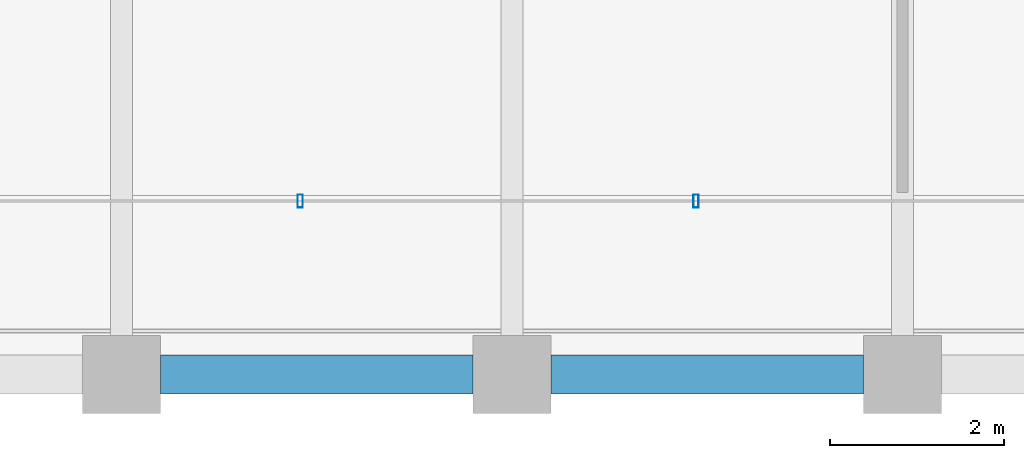
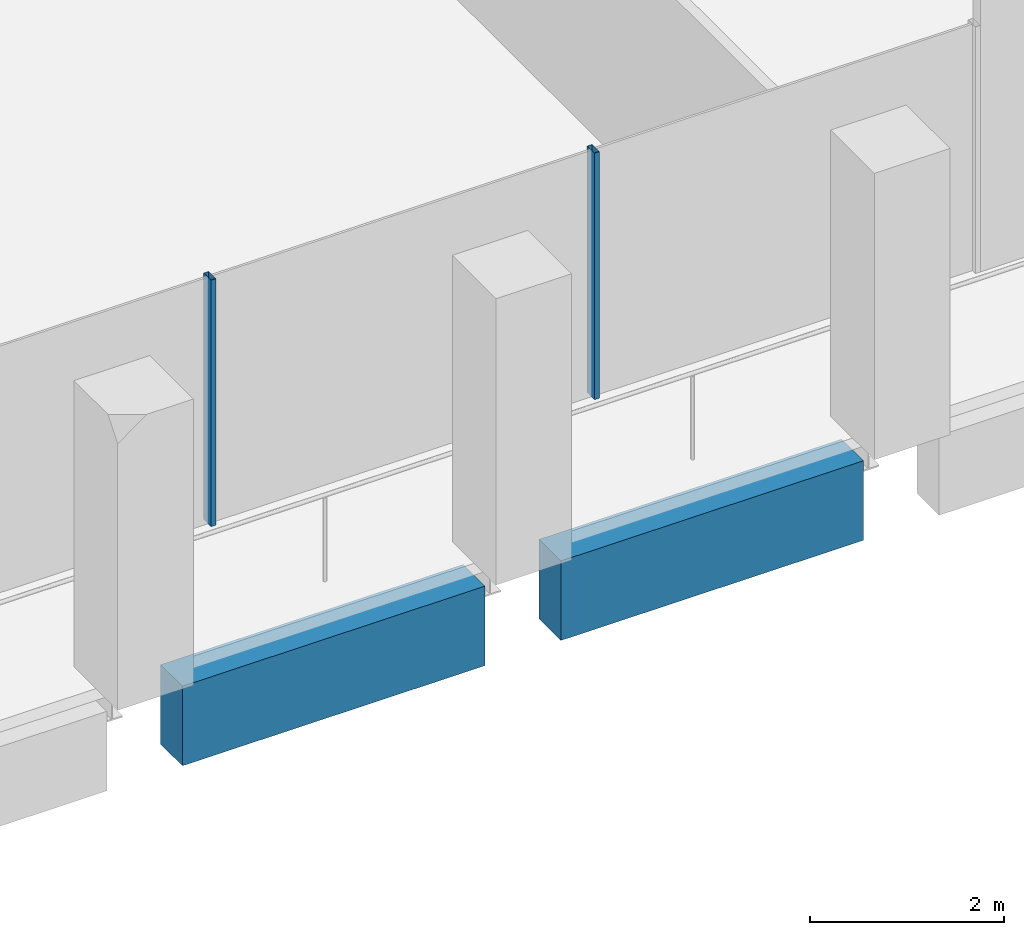
# One storey, part 3 of 40: 2 beams, 2 members, 1 element without a shape of its own.
"""IFC4 building model written with IfcOpenShell, lengths in metres."""

import ifcopenshell
import ifcopenshell.guid

model = None  # the IFC model being written
_history = None  # IfcOwnerHistory: only IFC2X3 demands one
_inside = {}  # id of a spatial element -> (the spatial element, [elements in it])
_under = {}  # id of a project, library or spatial element -> (it, [spatial elements below it])
_declared = {}  # id of a project -> (the project, [libraries it declares])
_typed = {}  # id of a type object -> (the type object, [elements of that type])
_made_of = {}  # id of a material, layer set ... -> (it, [elements and type objects made of it])


def new_model(schema):
    """Start an empty IFC model of exactly this schema.

    Asked for "IFC4X3", IfcOpenShell would pick the latest addendum, in which some entities
    have other attributes; the version numbers below select the first issue.
    IFC2X3 requires an IfcOwnerHistory on every rooted entity: one is made here for all.
    """
    global model, _history
    if schema == "IFC4X3":
        model = ifcopenshell.file(schema_version=(4, 3, 0, 0))
    else:
        model = ifcopenshell.file(schema=schema)
    _inside.clear()
    _under.clear()
    _declared.clear()
    _typed.clear()
    _made_of.clear()
    _history = None
    if model.schema == "IFC2X3":
        org = make("IfcOrganization", Name="unknown")
        user = make(
            "IfcPersonAndOrganization",
            ThePerson=make("IfcPerson", FamilyName="unknown"),
            TheOrganization=org,
        )
        app = make(
            "IfcApplication",
            ApplicationDeveloper=org,
            Version="unknown",
            ApplicationFullName="unknown",
            ApplicationIdentifier="unknown",
        )
        _history = make(
            "IfcOwnerHistory",
            OwningUser=user,
            OwningApplication=app,
            ChangeAction="ADDED",
            CreationDate=0,
        )
    return model


def make(cls, **values):
    """One entity of the class cls with the attributes given. An attribute that is None is left unset."""
    return model.create_entity(
        cls, **{name: value for name, value in values.items() if value is not None}
    )


def rooted(cls, **values):
    """An entity with a GlobalId (a new one), such as an element, a storey or a relation."""
    return make(cls, GlobalId=ifcopenshell.guid.new(), OwnerHistory=_history, **values)


def si_unit(unit_type, name, prefix=None):
    """IfcSIUnit, for example si_unit("LENGTHUNIT", "METRE", prefix="MILLI")."""
    return make("IfcSIUnit", UnitType=unit_type, Prefix=prefix, Name=name)


def assignment(units):
    """IfcUnitAssignment: the units of a project."""
    return None if units is None else make("IfcUnitAssignment", Units=units)


def point(xyz):
    """IfcCartesianPoint."""
    return None if xyz is None else make("IfcCartesianPoint", Coordinates=xyz)


def direction(xyz):
    """IfcDirection."""
    return None if xyz is None else make("IfcDirection", DirectionRatios=xyz)


def frame(location, z_axis=None, x_axis=None):
    """IfcAxis2Placement3D, a coordinate frame: its origin and axes. An axis left out is left unset."""
    return make(
        "IfcAxis2Placement3D",
        Location=point(location),
        Axis=direction(z_axis),
        RefDirection=direction(x_axis),
    )


def frame_2d(location, x_axis=None):
    """IfcAxis2Placement2D, a coordinate frame in the plane: its origin and x axis."""
    return make(
        "IfcAxis2Placement2D", Location=point(location), RefDirection=direction(x_axis)
    )


def origin():
    """The frame at (0, 0, 0) with its axes left unset."""
    return frame((0.0, 0.0, 0.0))


def origin_2d():
    """The frame at (0, 0) in the plane with its x axis left unset."""
    return frame_2d((0.0, 0.0))


def place(relative_to, where):
    """IfcLocalPlacement: puts the frame where relative to a parent placement (None: the world)."""
    return make(
        "IfcLocalPlacement", PlacementRelTo=relative_to, RelativePlacement=where
    )


def context(
    kind, dimensions, precision=None, world=None, true_north=None, identifier=None
):
    """IfcGeometricRepresentationContext, for example the 3D "Model" context."""
    return make(
        "IfcGeometricRepresentationContext",
        ContextIdentifier=identifier,
        ContextType=kind,
        CoordinateSpaceDimension=dimensions,
        Precision=precision,
        WorldCoordinateSystem=world,
        TrueNorth=true_north,
    )


def subcontext(parent, identifier, kind, view, scale=None):
    """IfcGeometricRepresentationSubContext, for example "Body" below "Model"."""
    return make(
        "IfcGeometricRepresentationSubContext",
        ContextIdentifier=identifier,
        ContextType=kind,
        ParentContext=parent,
        TargetScale=scale,
        TargetView=view,
    )


def project(units=None, contexts=None):
    """IfcProject with its units and contexts."""
    return rooted(
        "IfcProject",
        Name="project",
        RepresentationContexts=contexts,
        UnitsInContext=assignment(units),
    )


def spatial(cls, under=None, at=None, **own):
    """A site, building, storey or space (cls), placed at a placement, below another one or the project."""
    s = rooted(cls, ObjectPlacement=at, **own)
    if under is not None:
        _under.setdefault(under.id(), (under, []))[1].append(s)
    return s


def profile(cls, at=None, kind="AREA", **sizes):
    """A parametric profile (cls). Its sizes go by their IFC names, for example OverallWidth=200.0."""
    return make(cls, ProfileType=kind, Position=at, **sizes)


def rectangle(**sizes):
    """IfcRectangleProfileDef."""
    return profile("IfcRectangleProfileDef", **sizes)


def hollow_rectangle(**sizes):
    """IfcRectangleHollowProfileDef."""
    return profile("IfcRectangleHollowProfileDef", **sizes)


def extrude(swept, where, along, depth):
    """IfcExtrudedAreaSolid: the profile swept, set in the frame where, extruded along a direction by depth."""
    return make(
        "IfcExtrudedAreaSolid",
        SweptArea=swept,
        Position=where,
        ExtrudedDirection=direction(along),
        Depth=depth,
    )


def shape(context_of_items, identifier, shape_type, items):
    """IfcShapeRepresentation: the items that make up one representation, for example the "Body"."""
    return make(
        "IfcShapeRepresentation",
        ContextOfItems=context_of_items,
        RepresentationIdentifier=identifier,
        RepresentationType=shape_type,
        Items=items,
    )


def material(Name=None, Category=None):
    """IfcMaterial."""
    return make("IfcMaterial", Name=Name, Category=Category)


def material_profile(
    of_material, cross_section, Name=None, Category=None, Priority=None
):
    """IfcMaterialProfile: a cross section and its material."""
    return make(
        "IfcMaterialProfile",
        Name=Name,
        Material=of_material,
        Profile=cross_section,
        Priority=Priority,
        Category=Category,
    )


def profile_set(profiles, Name=None, composite=None):
    """IfcMaterialProfileSet."""
    return make(
        "IfcMaterialProfileSet",
        Name=Name,
        MaterialProfiles=profiles,
        CompositeProfile=composite,
    )


def made_of(thing, what):
    """Note that an element or type object is made of a material, layer set ...; save() writes the relation."""
    if what is not None:
        _made_of.setdefault(what.id(), (what, []))[1].append(thing)
    return thing


def type_object(cls, material=None, **own):
    """A type object (cls), such as IfcWallType, which elements share."""
    return made_of(rooted(cls, **own), material)


def element(
    cls,
    number,
    at=None,
    inside=None,
    cuts=None,
    type_object=None,
    material=None,
    context=None,
    identifier="Body",
    shape_type=None,
    held_by="IfcProductDefinitionShape",
    body=None,
    shapes=None,
    **own,
):
    """One element of the class cls, such as IfcWall. Its Tag is "e" and its number.

    at: its placement. inside: the storey or other place that contains it. cuts: it is an
    opening in that element (IfcRelVoidsElement). A single representation is given by context,
    identifier, shape_type and body (its items); several are given by shapes. held_by: the class
    of the entity that holds the representations. save() writes the other relations.
    """
    e = rooted(cls, Tag="e%d" % number, ObjectPlacement=at, **own)
    if body is not None:
        shapes = [shape(context, identifier, shape_type, body)]
    if shapes is not None:
        e.Representation = make(held_by, Representations=shapes)
    if inside is not None:
        _inside.setdefault(inside.id(), (inside, []))[1].append(e)
    if cuts is not None:
        rooted(
            "IfcRelVoidsElement", RelatingBuildingElement=cuts, RelatedOpeningElement=e
        )
    if type_object is not None:
        _typed.setdefault(type_object.id(), (type_object, []))[1].append(e)
    return made_of(e, material)


def aggregate(whole, parts):
    """IfcRelAggregates: a whole, such as a stair, and the parts it consists of."""
    return rooted("IfcRelAggregates", RelatingObject=whole, RelatedObjects=parts)


def save(model, path):
    """Write the relations noted so far, then the file.

    IfcRelAggregates (storeys below a building ...), IfcRelContainedInSpatialStructure (elements
    in a storey), IfcRelDefinesByType, IfcRelAssociatesMaterial and IfcRelDeclares: one each for
    every whole, place, type object, material and project.
    """
    for whole, parts in _under.values():
        aggregate(whole, parts)
    for where, things in _inside.values():
        rooted(
            "IfcRelContainedInSpatialStructure",
            RelatedElements=things,
            RelatingStructure=where,
        )
    for kind, things in _typed.values():
        rooted("IfcRelDefinesByType", RelatedObjects=things, RelatingType=kind)
    for what, things in _made_of.values():
        rooted("IfcRelAssociatesMaterial", RelatedObjects=things, RelatingMaterial=what)
    for by, libraries in _declared.values():
        rooted("IfcRelDeclares", RelatingContext=by, RelatedDefinitions=libraries)
    model.write(path)


model = new_model("IFC4")

# Units and contexts
model_context = context("Model", 3, precision=1e-05, world=origin(), true_north=direction((0.0, 1.0)))
body_context = subcontext(model_context, "Body", "Model", "MODEL_VIEW")
ifc_project = project(units=[si_unit("LENGTHUNIT", "METRE"), si_unit("AREAUNIT", "SQUARE_METRE"), si_unit("VOLUMEUNIT", "CUBIC_METRE"), si_unit("PLANEANGLEUNIT", "RADIAN"), si_unit("MASSUNIT", "GRAM", prefix="KILO")], contexts=[model_context])

# Site, building, storey
site_placement = place(None, origin())
site = spatial("IfcSite", under=ifc_project, at=site_placement, CompositionType="ELEMENT")
building_placement = place(site_placement, origin())
building = spatial("IfcBuilding", under=site, at=building_placement, Name="Altepetl Exchange Towers", CompositionType="ELEMENT")
storey_placement = place(building_placement, frame((0.0, 0.0, 176.199951171875)))
storey = spatial("IfcBuildingStorey", under=building, at=storey_placement, Name="L44", CompositionType="ELEMENT", Elevation=176.199951171875)

# Curtain wall, members
ifc_material_1 = material(Name="Aluminium 6063-T6 glazing", Category="aluminium")
curtain_wall_type = type_object("IfcCurtainWallType", Name="Loggia glazing system", PredefinedType="NOTDEFINED", material=ifc_material_1)
curtain_wall_placement = place(storey_placement, origin())
curtain_wall = element("IfcCurtainWall", 1, at=curtain_wall_placement, inside=storey, type_object=curtain_wall_type, Name="CW1 run", PredefinedType="NOTDEFINED")
ifc_material_2 = material(Name="Aluminium 6063-T6", Category="aluminium")
ifc_material_profile_1 = material_profile(ifc_material_2, hollow_rectangle(XDim=0.06005859375, YDim=0.14990234375, WallThickness=0.0029296875, at=origin_2d()), Name="Mullion 60x150 aluminium")
ifc_profile_set_1 = profile_set([ifc_material_profile_1], Name="Aluminium 6063-T6")
member_type = type_object("IfcMemberType", Name="Mullion 60x150 aluminium", PredefinedType="MULLION", material=ifc_profile_set_1)
member_1_placement = place(storey_placement, frame((38.060791015625, 29.0, 0.0)))
member_1 = element("IfcMember", 2, at=member_1_placement, type_object=member_type, Name="MU1 mullion", PredefinedType="MULLION", context=body_context, shape_type="SweptSolid", body=[
    extrude(hollow_rectangle(XDim=0.06005859375, YDim=0.14990234375, WallThickness=0.0029296875, at=origin_2d()), origin(), (0.0, 0.0, 1.0), 3.10009765625),
])
member_2_placement = place(storey_placement, frame((42.621337890625, 29.0, 0.0)))
member_2 = element("IfcMember", 3, at=member_2_placement, type_object=member_type, Name="MU1 mullion", PredefinedType="MULLION", context=body_context, shape_type="SweptSolid", body=[
    extrude(hollow_rectangle(XDim=0.06005859375, YDim=0.14990234375, WallThickness=0.0029296875, at=origin_2d()), origin(), (0.0, 0.0, 1.0), 3.10009765625),
])
aggregate(curtain_wall, [member_1, member_2])

# Beams
ifc_material_3 = material(Name="Concrete C50/60 precast with cantera blanca facing", Category="concrete")
ifc_material_profile_2 = material_profile(ifc_material_3, rectangle(XDim=0.449951171875, YDim=1.0, at=origin_2d()), Name="450 x 1000")
ifc_profile_set_2 = profile_set([ifc_material_profile_2], Name="Concrete C50/60 precast with cantera blanca facing")
beam_type = type_object("IfcBeamType", Name="Spandrel beam 450x1000 cantera blanca", PredefinedType="SPANDREL", material=ifc_profile_set_2)
for number, where, z_axis, x_axis, name in (
    (4, (36.449951171875, 27.0, -0.64990234375), (1.0, 0.0, 0.0), (0.0, 1.0, 0.0), "sp:A:L44:001"),
    (5, (40.949951171875, 27.0, -0.64990234375), (1.0, 0.0, 0.0), (0.0, 1.0, 0.0), "sp:A:L44:002"),
):
    element("IfcBeam", number, at=place(storey_placement, frame(where, z_axis=z_axis, x_axis=x_axis)), inside=storey, type_object=beam_type, Name=name, PredefinedType="SPANDREL", context=body_context, shape_type="SweptSolid", body=[
        extrude(rectangle(XDim=0.449951171875, YDim=1.0, at=origin_2d()), origin(), (0.0, 0.0, 1.0), 3.60009765625),
    ])

save(model, "model.ifc")
